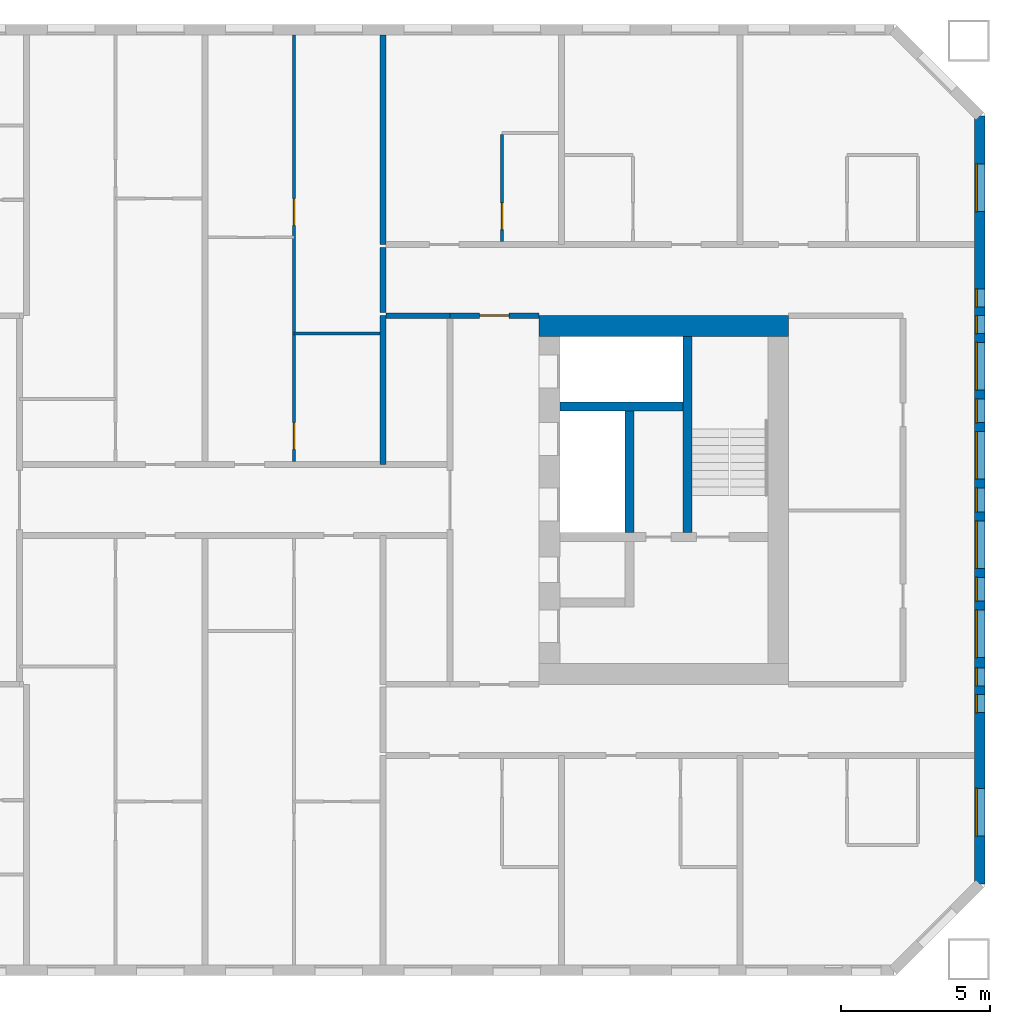
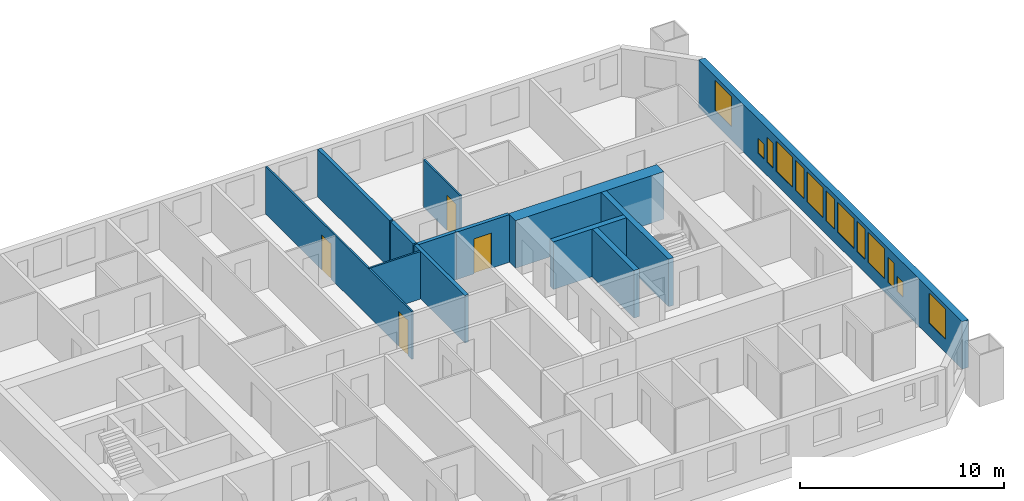
# One storey, part 13 of 17: 13 walls, 13 windows, 4 doors, 17 openings.
"""IFC4 building model written with IfcOpenShell, lengths in metres."""

from ifc_helpers import new_model, si_unit, direction, frame, frame_2d, origin, place, context, subcontext, project, spatial, rectangle, extrude, material, layer, layer_set, type_object, element, fill, save


model = new_model("IFC4")

# Units and contexts
model_context = context("Model", 3, precision=1e-05, world=origin(), true_north=direction((0.0, 1.0)))
body_context = subcontext(model_context, "Body", "Model", "MODEL_VIEW")
ifc_project = project(units=[si_unit("LENGTHUNIT", "METRE"), si_unit("AREAUNIT", "SQUARE_METRE"), si_unit("VOLUMEUNIT", "CUBIC_METRE"), si_unit("PLANEANGLEUNIT", "RADIAN"), si_unit("MASSUNIT", "GRAM", prefix="KILO")], contexts=[model_context])

# Site, building, storey
site_placement = place(None, origin())
site = spatial("IfcSite", under=ifc_project, at=site_placement, CompositionType="ELEMENT")
building_placement = place(site_placement, origin())
building = spatial("IfcBuilding", under=site, at=building_placement, Name="Tuart Gate Housing", CompositionType="ELEMENT")
storey_placement = place(building_placement, frame((0.0, 0.0, 71.60009765625)))
storey = spatial("IfcBuildingStorey", under=building, at=storey_placement, Name="L19", CompositionType="ELEMENT", Elevation=71.60009765625)

# Wall, openings, windows
ifc_material_1 = material(Name="Brick", Category="masonry")
ifc_layer_1 = layer(ifc_material_1, 0.360107421875)
ifc_layer_set_1 = layer_set([ifc_layer_1], Name="Brick pier and spandrel wall 360")
wall_type_1 = type_object("IfcWallType", Name="Brick pier and spandrel wall 360", PredefinedType="STANDARD", material=ifc_layer_set_1)
wall_1_placement = place(storey_placement, frame((175.070068359375, 57.07470703125, 0.0), z_axis=(0.0, 0.0, 1.0), x_axis=(0.0, 1.0, 0.0)))
wall_1 = element("IfcWall", 1, at=wall_1_placement, inside=storey, type_object=wall_type_1, Name="External wall B-E L19", PredefinedType="STANDARD", context=body_context, shape_type="SweptSolid", body=[
    extrude(rectangle(XDim=25.850830078125, YDim=0.360107421875, at=frame_2d((12.92529296875, 0.0))), origin(), (0.0, 0.0, 1.0), 2.849853515625),
])
opening_1_placement = place(wall_1_placement, frame((1.62548828125, 0.0, 0.800048828125)))
opening_1 = element("IfcOpeningElement", 2, at=opening_1_placement, cuts=wall_1, Name="Opening W1", PredefinedType="OPENING", context=body_context, shape_type="SweptSolid", body=[
    extrude(rectangle(XDim=1.60009765625, YDim=1.800048828125, at=frame_2d((0.800048828125, 0.89990234375))), frame((0.0, 0.18994140625, 0.0), z_axis=(0.0, -1.0, 0.0), x_axis=(1.0, 0.0, 0.0)), (0.0, 0.0, 1.0), 0.380126953125),
])
opening_2_placement = place(wall_1_placement, frame((5.775390625, 0.0, 0.800048828125)))
opening_2 = element("IfcOpeningElement", 3, at=opening_2_placement, cuts=wall_1, Name="Opening W1W", PredefinedType="OPENING", context=body_context, shape_type="SweptSolid", body=[
    extrude(rectangle(XDim=0.60009765625, YDim=0.89990234375, at=frame_2d((0.300048828125, 0.449951171875))), frame((0.0, 0.18994140625, 0.0), z_axis=(0.0, -1.0, 0.0), x_axis=(1.0, 0.0, 0.0)), (0.0, 0.0, 1.0), 0.380126953125),
])
opening_3_placement = place(wall_1_placement, frame((7.62548828125, 0.0, 0.800048828125)))
opening_3 = element("IfcOpeningElement", 4, at=opening_3_placement, cuts=wall_1, Name="Opening W1", PredefinedType="OPENING", context=body_context, shape_type="SweptSolid", body=[
    extrude(rectangle(XDim=1.60009765625, YDim=1.800048828125, at=frame_2d((0.800048828125, 0.89990234375))), frame((0.0, 0.18994140625, 0.0), z_axis=(0.0, -1.0, 0.0), x_axis=(1.0, 0.0, 0.0)), (0.0, 0.0, 1.0), 0.380126953125),
])
opening_4_placement = place(wall_1_placement, frame((10.62548828125, 0.0, 0.800048828125)))
opening_4 = element("IfcOpeningElement", 5, at=opening_4_placement, cuts=wall_1, Name="Opening W1", PredefinedType="OPENING", context=body_context, shape_type="SweptSolid", body=[
    extrude(rectangle(XDim=1.60009765625, YDim=1.800048828125, at=frame_2d((0.800048828125, 0.89990234375))), frame((0.0, 0.18994140625, 0.0), z_axis=(0.0, -1.0, 0.0), x_axis=(1.0, 0.0, 0.0)), (0.0, 0.0, 1.0), 0.380126953125),
])
opening_5_placement = place(wall_1_placement, frame((13.62548828125, 0.0, 0.800048828125)))
opening_5 = element("IfcOpeningElement", 6, at=opening_5_placement, cuts=wall_1, Name="Opening W1", PredefinedType="OPENING", context=body_context, shape_type="SweptSolid", body=[
    extrude(rectangle(XDim=1.60009765625, YDim=1.800048828125, at=frame_2d((0.800048828125, 0.89990234375))), frame((0.0, 0.18994140625, 0.0), z_axis=(0.0, -1.0, 0.0), x_axis=(1.0, 0.0, 0.0)), (0.0, 0.0, 1.0), 0.380126953125),
])
opening_6_placement = place(wall_1_placement, frame((16.62548828125, 0.0, 0.800048828125)))
opening_6 = element("IfcOpeningElement", 7, at=opening_6_placement, cuts=wall_1, Name="Opening W1", PredefinedType="OPENING", context=body_context, shape_type="SweptSolid", body=[
    extrude(rectangle(XDim=1.60009765625, YDim=1.800048828125, at=frame_2d((0.800048828125, 0.89990234375))), frame((0.0, 0.18994140625, 0.0), z_axis=(0.0, -1.0, 0.0), x_axis=(1.0, 0.0, 0.0)), (0.0, 0.0, 1.0), 0.380126953125),
])
opening_7_placement = place(wall_1_placement, frame((6.67529296875, 0.0, 0.800048828125)))
opening_7 = element("IfcOpeningElement", 8, at=opening_7_placement, cuts=wall_1, Name="Opening W1K", PredefinedType="OPENING", context=body_context, shape_type="SweptSolid", body=[
    extrude(rectangle(XDim=0.60009765625, YDim=1.5, at=frame_2d((0.300048828125, 0.75))), frame((0.0, 0.18994140625, 0.0), z_axis=(0.0, -1.0, 0.0), x_axis=(1.0, 0.0, 0.0)), (0.0, 0.0, 1.0), 0.380126953125),
])
opening_8_placement = place(wall_1_placement, frame((22.62548828125, 0.0, 0.800048828125)))
opening_8 = element("IfcOpeningElement", 9, at=opening_8_placement, cuts=wall_1, Name="Opening W1", PredefinedType="OPENING", context=body_context, shape_type="SweptSolid", body=[
    extrude(rectangle(XDim=1.60009765625, YDim=1.800048828125, at=frame_2d((0.800048828125, 0.89990234375))), frame((0.0, 0.18994140625, 0.0), z_axis=(0.0, -1.0, 0.0), x_axis=(1.0, 0.0, 0.0)), (0.0, 0.0, 1.0), 0.380126953125),
])
opening_9_placement = place(wall_1_placement, frame((9.525390625, 0.0, 0.800048828125)))
opening_9 = element("IfcOpeningElement", 10, at=opening_9_placement, cuts=wall_1, Name="Opening W1D", PredefinedType="OPENING", context=body_context, shape_type="SweptSolid", body=[
    extrude(rectangle(XDim=0.800048828125, YDim=1.800048828125, at=frame_2d((0.39990234375, 0.89990234375))), frame((0.0, 0.18994140625, 0.0), z_axis=(0.0, -1.0, 0.0), x_axis=(1.0, 0.0, 0.0)), (0.0, 0.0, 1.0), 0.380126953125),
])
opening_10_placement = place(wall_1_placement, frame((12.525390625, 0.0, 0.800048828125)))
opening_10 = element("IfcOpeningElement", 11, at=opening_10_placement, cuts=wall_1, Name="Opening W1D", PredefinedType="OPENING", context=body_context, shape_type="SweptSolid", body=[
    extrude(rectangle(XDim=0.800048828125, YDim=1.800048828125, at=frame_2d((0.39990234375, 0.89990234375))), frame((0.0, 0.18994140625, 0.0), z_axis=(0.0, -1.0, 0.0), x_axis=(1.0, 0.0, 0.0)), (0.0, 0.0, 1.0), 0.380126953125),
])
opening_11_placement = place(wall_1_placement, frame((15.525390625, 0.0, 0.800048828125)))
opening_11 = element("IfcOpeningElement", 12, at=opening_11_placement, cuts=wall_1, Name="Opening W1D", PredefinedType="OPENING", context=body_context, shape_type="SweptSolid", body=[
    extrude(rectangle(XDim=0.800048828125, YDim=1.800048828125, at=frame_2d((0.39990234375, 0.89990234375))), frame((0.0, 0.18994140625, 0.0), z_axis=(0.0, -1.0, 0.0), x_axis=(1.0, 0.0, 0.0)), (0.0, 0.0, 1.0), 0.380126953125),
])
opening_12_placement = place(wall_1_placement, frame((18.525390625, 0.0, 0.800048828125)))
opening_12 = element("IfcOpeningElement", 13, at=opening_12_placement, cuts=wall_1, Name="Opening W1K", PredefinedType="OPENING", context=body_context, shape_type="SweptSolid", body=[
    extrude(rectangle(XDim=0.60009765625, YDim=1.5, at=frame_2d((0.300048828125, 0.75))), frame((0.0, 0.18994140625, 0.0), z_axis=(0.0, -1.0, 0.0), x_axis=(1.0, 0.0, 0.0)), (0.0, 0.0, 1.0), 0.380126953125),
])
opening_13_placement = place(wall_1_placement, frame((19.42529296875, 0.0, 0.800048828125)))
opening_13 = element("IfcOpeningElement", 14, at=opening_13_placement, cuts=wall_1, Name="Opening W1W", PredefinedType="OPENING", context=body_context, shape_type="SweptSolid", body=[
    extrude(rectangle(XDim=0.60009765625, YDim=0.89990234375, at=frame_2d((0.300048828125, 0.449951171875))), frame((0.0, 0.18994140625, 0.0), z_axis=(0.0, -1.0, 0.0), x_axis=(1.0, 0.0, 0.0)), (0.0, 0.0, 1.0), 0.380126953125),
])
ifc_material_2 = material(Name="Aluminium frame with clear glass", Category="aluminium")
window_type_1 = type_object("IfcWindowType", Name="Punched window 1600 x 1800", PartitioningType="SINGLE_PANEL", PredefinedType="WINDOW", material=ifc_material_2)
window_1_placement = place(opening_1_placement, origin())
window_1 = element("IfcWindow", 15, at=window_1_placement, inside=storey, type_object=window_type_1, Name="Window W1", OverallHeight=1.800048828125, OverallWidth=1.60009765625, PartitioningType="SINGLE_PANEL", PredefinedType="WINDOW", context=body_context, shape_type="SweptSolid", body=[
    extrude(rectangle(XDim=1.60009765625, YDim=1.800048828125, at=frame_2d((0.800048828125, 0.89990234375))), frame((0.0, 0.150146484375, 0.0), z_axis=(0.0, -1.0, 0.0), x_axis=(1.0, 0.0, 0.0)), (0.0, 0.0, 1.0), 0.06005859375),
])
fill(opening_1, window_1)
window_2_placement = place(opening_3_placement, origin())
window_2 = element("IfcWindow", 16, at=window_2_placement, inside=storey, type_object=window_type_1, Name="Window W1", OverallHeight=1.800048828125, OverallWidth=1.60009765625, PartitioningType="SINGLE_PANEL", PredefinedType="WINDOW", context=body_context, shape_type="SweptSolid", body=[
    extrude(rectangle(XDim=1.60009765625, YDim=1.800048828125, at=frame_2d((0.800048828125, 0.89990234375))), frame((0.0, 0.150146484375, 0.0), z_axis=(0.0, -1.0, 0.0), x_axis=(1.0, 0.0, 0.0)), (0.0, 0.0, 1.0), 0.06005859375),
])
fill(opening_3, window_2)
window_3_placement = place(opening_4_placement, origin())
window_3 = element("IfcWindow", 17, at=window_3_placement, inside=storey, type_object=window_type_1, Name="Window W1", OverallHeight=1.800048828125, OverallWidth=1.60009765625, PartitioningType="SINGLE_PANEL", PredefinedType="WINDOW", context=body_context, shape_type="SweptSolid", body=[
    extrude(rectangle(XDim=1.60009765625, YDim=1.800048828125, at=frame_2d((0.800048828125, 0.89990234375))), frame((0.0, 0.150146484375, 0.0), z_axis=(0.0, -1.0, 0.0), x_axis=(1.0, 0.0, 0.0)), (0.0, 0.0, 1.0), 0.06005859375),
])
fill(opening_4, window_3)
window_4_placement = place(opening_5_placement, origin())
window_4 = element("IfcWindow", 18, at=window_4_placement, inside=storey, type_object=window_type_1, Name="Window W1", OverallHeight=1.800048828125, OverallWidth=1.60009765625, PartitioningType="SINGLE_PANEL", PredefinedType="WINDOW", context=body_context, shape_type="SweptSolid", body=[
    extrude(rectangle(XDim=1.60009765625, YDim=1.800048828125, at=frame_2d((0.800048828125, 0.89990234375))), frame((0.0, 0.150146484375, 0.0), z_axis=(0.0, -1.0, 0.0), x_axis=(1.0, 0.0, 0.0)), (0.0, 0.0, 1.0), 0.06005859375),
])
fill(opening_5, window_4)
window_5_placement = place(opening_6_placement, origin())
window_5 = element("IfcWindow", 19, at=window_5_placement, inside=storey, type_object=window_type_1, Name="Window W1", OverallHeight=1.800048828125, OverallWidth=1.60009765625, PartitioningType="SINGLE_PANEL", PredefinedType="WINDOW", context=body_context, shape_type="SweptSolid", body=[
    extrude(rectangle(XDim=1.60009765625, YDim=1.800048828125, at=frame_2d((0.800048828125, 0.89990234375))), frame((0.0, 0.150146484375, 0.0), z_axis=(0.0, -1.0, 0.0), x_axis=(1.0, 0.0, 0.0)), (0.0, 0.0, 1.0), 0.06005859375),
])
fill(opening_6, window_5)
window_6_placement = place(opening_8_placement, origin())
window_6 = element("IfcWindow", 20, at=window_6_placement, inside=storey, type_object=window_type_1, Name="Window W1", OverallHeight=1.800048828125, OverallWidth=1.60009765625, PartitioningType="SINGLE_PANEL", PredefinedType="WINDOW", context=body_context, shape_type="SweptSolid", body=[
    extrude(rectangle(XDim=1.60009765625, YDim=1.800048828125, at=frame_2d((0.800048828125, 0.89990234375))), frame((0.0, 0.150146484375, 0.0), z_axis=(0.0, -1.0, 0.0), x_axis=(1.0, 0.0, 0.0)), (0.0, 0.0, 1.0), 0.06005859375),
])
fill(opening_8, window_6)
ifc_material_3 = material(Name="Aluminium frame with clear glass", Category="aluminium")
window_type_2 = type_object("IfcWindowType", Name="Punched window 600 x 1500", PartitioningType="SINGLE_PANEL", PredefinedType="WINDOW", material=ifc_material_3)
window_7_placement = place(opening_7_placement, origin())
window_7 = element("IfcWindow", 21, at=window_7_placement, inside=storey, type_object=window_type_2, Name="Window W1K", OverallHeight=1.5, OverallWidth=0.60009765625, PartitioningType="SINGLE_PANEL", PredefinedType="WINDOW", context=body_context, shape_type="SweptSolid", body=[
    extrude(rectangle(XDim=0.60009765625, YDim=1.5, at=frame_2d((0.300048828125, 0.75))), frame((0.0, 0.150146484375, 0.0), z_axis=(0.0, -1.0, 0.0), x_axis=(1.0, 0.0, 0.0)), (0.0, 0.0, 1.0), 0.06005859375),
])
fill(opening_7, window_7)
window_8_placement = place(opening_12_placement, origin())
window_8 = element("IfcWindow", 22, at=window_8_placement, inside=storey, type_object=window_type_2, Name="Window W1K", OverallHeight=1.5, OverallWidth=0.60009765625, PartitioningType="SINGLE_PANEL", PredefinedType="WINDOW", context=body_context, shape_type="SweptSolid", body=[
    extrude(rectangle(XDim=0.60009765625, YDim=1.5, at=frame_2d((0.300048828125, 0.75))), frame((0.0, 0.150146484375, 0.0), z_axis=(0.0, -1.0, 0.0), x_axis=(1.0, 0.0, 0.0)), (0.0, 0.0, 1.0), 0.06005859375),
])
fill(opening_12, window_8)
ifc_material_4 = material(Name="Aluminium frame with clear glass", Category="aluminium")
window_type_3 = type_object("IfcWindowType", Name="Punched window 600 x 900", PartitioningType="SINGLE_PANEL", PredefinedType="WINDOW", material=ifc_material_4)
window_9_placement = place(opening_2_placement, origin())
window_9 = element("IfcWindow", 23, at=window_9_placement, inside=storey, type_object=window_type_3, Name="Window W1W", OverallHeight=0.89990234375, OverallWidth=0.60009765625, PartitioningType="SINGLE_PANEL", PredefinedType="WINDOW", context=body_context, shape_type="SweptSolid", body=[
    extrude(rectangle(XDim=0.60009765625, YDim=0.89990234375, at=frame_2d((0.300048828125, 0.449951171875))), frame((0.0, 0.150146484375, 0.0), z_axis=(0.0, -1.0, 0.0), x_axis=(1.0, 0.0, 0.0)), (0.0, 0.0, 1.0), 0.06005859375),
])
fill(opening_2, window_9)
window_10_placement = place(opening_13_placement, origin())
window_10 = element("IfcWindow", 24, at=window_10_placement, inside=storey, type_object=window_type_3, Name="Window W1W", OverallHeight=0.89990234375, OverallWidth=0.60009765625, PartitioningType="SINGLE_PANEL", PredefinedType="WINDOW", context=body_context, shape_type="SweptSolid", body=[
    extrude(rectangle(XDim=0.60009765625, YDim=0.89990234375, at=frame_2d((0.300048828125, 0.449951171875))), frame((0.0, 0.150146484375, 0.0), z_axis=(0.0, -1.0, 0.0), x_axis=(1.0, 0.0, 0.0)), (0.0, 0.0, 1.0), 0.06005859375),
])
fill(opening_13, window_10)
ifc_material_5 = material(Name="Aluminium frame with clear glass", Category="aluminium")
window_type_4 = type_object("IfcWindowType", Name="Punched window 800 x 1800", PartitioningType="SINGLE_PANEL", PredefinedType="WINDOW", material=ifc_material_5)
window_11_placement = place(opening_9_placement, origin())
window_11 = element("IfcWindow", 25, at=window_11_placement, inside=storey, type_object=window_type_4, Name="Window W1D", OverallHeight=1.800048828125, OverallWidth=0.800048828125, PartitioningType="SINGLE_PANEL", PredefinedType="WINDOW", context=body_context, shape_type="SweptSolid", body=[
    extrude(rectangle(XDim=0.800048828125, YDim=1.800048828125, at=frame_2d((0.39990234375, 0.89990234375))), frame((0.0, 0.150146484375, 0.0), z_axis=(0.0, -1.0, 0.0), x_axis=(1.0, 0.0, 0.0)), (0.0, 0.0, 1.0), 0.06005859375),
])
fill(opening_9, window_11)
window_12_placement = place(opening_10_placement, origin())
window_12 = element("IfcWindow", 26, at=window_12_placement, inside=storey, type_object=window_type_4, Name="Window W1D", OverallHeight=1.800048828125, OverallWidth=0.800048828125, PartitioningType="SINGLE_PANEL", PredefinedType="WINDOW", context=body_context, shape_type="SweptSolid", body=[
    extrude(rectangle(XDim=0.800048828125, YDim=1.800048828125, at=frame_2d((0.39990234375, 0.89990234375))), frame((0.0, 0.150146484375, 0.0), z_axis=(0.0, -1.0, 0.0), x_axis=(1.0, 0.0, 0.0)), (0.0, 0.0, 1.0), 0.06005859375),
])
fill(opening_10, window_12)
window_13_placement = place(opening_11_placement, origin())
window_13 = element("IfcWindow", 27, at=window_13_placement, inside=storey, type_object=window_type_4, Name="Window W1D", OverallHeight=1.800048828125, OverallWidth=0.800048828125, PartitioningType="SINGLE_PANEL", PredefinedType="WINDOW", context=body_context, shape_type="SweptSolid", body=[
    extrude(rectangle(XDim=0.800048828125, YDim=1.800048828125, at=frame_2d((0.39990234375, 0.89990234375))), frame((0.0, 0.150146484375, 0.0), z_axis=(0.0, -1.0, 0.0), x_axis=(1.0, 0.0, 0.0)), (0.0, 0.0, 1.0), 0.06005859375),
])
fill(opening_11, window_13)

# Walls
ifc_material_6 = material(Name="Concrete C50", Category="concrete")
ifc_layer_2 = layer(ifc_material_6, 0.300048828125)
ifc_layer_set_2 = layer_set([ifc_layer_2], Name="Core wall 300 C50")
wall_type_2 = type_object("IfcWallType", Name="Core wall 300 C50", PredefinedType="SHEAR", material=ifc_layer_set_2)
wall_2_placement = place(storey_placement, frame((160.93994140625, 73.14990234375, 0.0), z_axis=(0.0, 0.0, 1.0), x_axis=(1.0, 0.0, 0.0)))
element("IfcWall", 28, at=wall_2_placement, inside=storey, type_object=wall_type_2, Name="Core wall BK.1", PredefinedType="SHEAR", context=body_context, shape_type="SweptSolid", body=[
    extrude(rectangle(XDim=4.150146484375, YDim=0.300048828125, at=frame_2d((2.0751953125, 0.0))), origin(), (0.0, 0.0, 1.0), 2.849853515625),
])
wall_3_placement = place(storey_placement, frame((163.2900390625, 73.0, 0.0), z_axis=(0.0, 0.0, 1.0), x_axis=(0.0, -1.0, 0.0)))
element("IfcWall", 29, at=wall_3_placement, inside=storey, type_object=wall_type_2, Name="Core wall BK.4", PredefinedType="SHEAR", context=body_context, shape_type="SweptSolid", body=[
    extrude(rectangle(XDim=4.10009765625, YDim=0.300048828125, at=frame_2d((2.050048828125, 0.0))), origin(), (0.0, 0.0, 1.0), 2.849853515625),
])
wall_4_placement = place(storey_placement, frame((165.239990234375, 75.5, 0.0), z_axis=(0.0, 0.0, 1.0), x_axis=(0.0, -1.0, 0.0)))
element("IfcWall", 30, at=wall_4_placement, inside=storey, type_object=wall_type_2, Name="Core wall BK.6", PredefinedType="SHEAR", context=body_context, shape_type="SweptSolid", body=[
    extrude(rectangle(XDim=6.60009765625, YDim=0.300048828125, at=frame_2d((3.300048828125, 0.0))), origin(), (0.0, 0.0, 1.0), 2.849853515625),
])
ifc_material_7 = material(Name="Concrete C50", Category="concrete")
ifc_layer_3 = layer(ifc_material_7, 0.699951171875)
ifc_layer_set_3 = layer_set([ifc_layer_3], Name="Core wall 700 C50")
wall_type_3 = type_object("IfcWallType", Name="Core wall 700 C50", PredefinedType="SHEAR", material=ifc_layer_set_3)
wall_5_placement = place(storey_placement, frame((160.239990234375, 75.85009765625, 0.0), z_axis=(0.0, 0.0, 1.0), x_axis=(1.0, 0.0, 0.0)))
element("IfcWall", 31, at=wall_5_placement, inside=storey, type_object=wall_type_3, Name="Core wall BK south", PredefinedType="SHEAR", context=body_context, shape_type="SweptSolid", body=[
    extrude(rectangle(XDim=8.39990234375, YDim=0.699951171875, at=frame_2d((4.199951171875, 0.0))), origin(), (0.0, 0.0, 1.0), 2.849853515625),
])
ifc_material_8 = material(Name="Concrete masonry 15 MPa", Category="masonry")
ifc_layer_4 = layer(ifc_material_8, 0.199951171875)
ifc_layer_set_4 = layer_set([ifc_layer_4], Name="Corridor wall masonry 200")
wall_type_4 = type_object("IfcWallType", Name="Corridor wall masonry 200", PredefinedType="PARTITIONING", material=ifc_layer_set_4)
wall_6_placement = place(storey_placement, frame((155.10009765625, 76.199951171875, 0.0), z_axis=(0.0, 0.0, 1.0), x_axis=(1.0, 0.0, 0.0)))
element("IfcWall", 32, at=wall_6_placement, inside=storey, type_object=wall_type_4, Name="Corridor wall masonry 200", PredefinedType="PARTITIONING", context=body_context, shape_type="SweptSolid", body=[
    extrude(rectangle(XDim=2.139892578125, YDim=0.199951171875, at=frame_2d((1.06982421875, 0.0))), origin(), (0.0, 0.0, 1.0), 2.849853515625),
])
wall_7_placement = place(storey_placement, frame((155.0, 76.300048828125, 0.0), z_axis=(0.0, 0.0, 1.0), x_axis=(0.0, 1.0, 0.0)))
element("IfcWall", 33, at=wall_7_placement, inside=storey, type_object=wall_type_4, Name="Corridor wall masonry 200", PredefinedType="PARTITIONING", context=body_context, shape_type="SweptSolid", body=[
    extrude(rectangle(XDim=2.199951171875, YDim=0.199951171875, at=frame_2d((1.10009765625, 0.0))), origin(), (0.0, 0.0, 1.0), 2.849853515625),
])

# Wall, opening, door
ifc_material_9 = material(Name="Concrete masonry 15 MPa", Category="masonry")
ifc_layer_5 = layer(ifc_material_9, 0.199951171875)
ifc_layer_set_5 = layer_set([ifc_layer_5], Name="Enclosure wall masonry 200")
wall_type_5 = type_object("IfcWallType", Name="Enclosure wall masonry 200", PredefinedType="PARTITIONING", material=ifc_layer_set_5)
wall_8_placement = place(storey_placement, frame((157.239990234375, 76.199951171875, 0.0), z_axis=(0.0, 0.0, 1.0), x_axis=(1.0, 0.0, 0.0)))
wall_8 = element("IfcWall", 34, at=wall_8_placement, inside=storey, type_object=wall_type_5, Name="Enclosure wall masonry 200", PredefinedType="PARTITIONING", context=body_context, shape_type="SweptSolid", body=[
    extrude(rectangle(XDim=3.0, YDim=0.199951171875, at=frame_2d((1.5, 0.0))), origin(), (0.0, 0.0, 1.0), 2.849853515625),
])
opening_14_placement = place(wall_8_placement, frame((1.0, 0.0, 0.0)))
opening_14 = element("IfcOpeningElement", 35, at=opening_14_placement, cuts=wall_8, Name="Opening D914", PredefinedType="OPENING", context=body_context, shape_type="SweptSolid", body=[
    extrude(rectangle(XDim=1.0, YDim=2.10009765625, at=frame_2d((0.5, 1.050048828125))), frame((0.0, 0.10986328125, 0.0), z_axis=(0.0, -1.0, 0.0), x_axis=(1.0, 0.0, 0.0)), (0.0, 0.0, 1.0), 0.219970703125),
])
ifc_material_10 = material(Name="Timber door leaf in steel frame", Category="steel")
door_type_1 = type_object("IfcDoorType", Name="Fire door 1000", OperationType="SINGLE_SWING_LEFT", PredefinedType="DOOR", material=ifc_material_10)
door_1_placement = place(opening_14_placement, origin())
door_1 = element("IfcDoor", 36, at=door_1_placement, inside=storey, type_object=door_type_1, Name="Fire door", OperationType="SINGLE_SWING_LEFT", OverallHeight=2.10009765625, OverallWidth=1.0, PredefinedType="DOOR", context=body_context, shape_type="SweptSolid", body=[
    extrude(rectangle(XDim=1.0, YDim=2.10009765625, at=frame_2d((0.5, 1.050048828125))), frame((0.0, 0.02490234375, 0.0), z_axis=(0.0, -1.0, 0.0), x_axis=(1.0, 0.0, 0.0)), (0.0, 0.0, 1.0), 0.050048828125),
])
fill(opening_14, door_1)

# Wall
ifc_material_11 = material(Name="Gypsum board on steel studs", Category="steel")
ifc_layer_6 = layer(ifc_material_11, 0.10009765625)
ifc_layer_set_6 = layer_set([ifc_layer_6], Name="Partition 100")
wall_type_6 = type_object("IfcWallType", Name="Partition 100", PredefinedType="PARTITIONING", material=ifc_layer_set_6)
wall_9_placement = place(storey_placement, frame((152.0, 75.60009765625, 0.0), z_axis=(0.0, 0.0, 1.0), x_axis=(1.0, 0.0, 0.0)))
element("IfcWall", 37, at=wall_9_placement, inside=storey, type_object=wall_type_6, Name="Partition 100", PredefinedType="PARTITIONING", context=body_context, shape_type="SweptSolid", body=[
    extrude(rectangle(XDim=2.89990234375, YDim=0.10009765625, at=frame_2d((1.449951171875, 0.0))), origin(), (0.0, 0.0, 1.0), 2.849853515625),
])

# Wall, openings, doors
wall_10_placement = place(storey_placement, frame((152.0, 71.300048828125, 0.0), z_axis=(0.0, 0.0, 1.0), x_axis=(0.0, 1.0, 0.0)))
wall_10 = element("IfcWall", 38, at=wall_10_placement, inside=storey, type_object=wall_type_6, Name="Partition 100", PredefinedType="PARTITIONING", context=body_context, shape_type="SweptSolid", body=[
    extrude(rectangle(XDim=14.33984375, YDim=0.10009765625, at=frame_2d((7.169921875, 0.0))), origin(), (0.0, 0.0, 1.0), 2.849853515625),
])
opening_15_placement = place(wall_10_placement, frame((7.93994140625, 0.0, 0.0)))
opening_15 = element("IfcOpeningElement", 39, at=opening_15_placement, cuts=wall_10, Name="Opening D912", PredefinedType="OPENING", context=body_context, shape_type="SweptSolid", body=[
    extrude(rectangle(XDim=0.89990234375, YDim=2.10009765625, at=frame_2d((0.449951171875, 1.050048828125))), frame((0.0, 0.06005859375, 0.0), z_axis=(0.0, -1.0, 0.0), x_axis=(1.0, 0.0, 0.0)), (0.0, 0.0, 1.0), 0.1201171875),
])
opening_16_placement = place(wall_10_placement, frame((0.39990234375, 0.0, 0.0)))
opening_16 = element("IfcOpeningElement", 40, at=opening_16_placement, cuts=wall_10, Name="Opening D911", PredefinedType="OPENING", context=body_context, shape_type="SweptSolid", body=[
    extrude(rectangle(XDim=0.89990234375, YDim=2.10009765625, at=frame_2d((0.449951171875, 1.050048828125))), frame((0.0, 0.06005859375, 0.0), z_axis=(0.0, -1.0, 0.0), x_axis=(1.0, 0.0, 0.0)), (0.0, 0.0, 1.0), 0.1201171875),
])
ifc_material_12 = material(Name="Timber door leaf in steel frame", Category="steel")
door_type_2 = type_object("IfcDoorType", Name="Bathroom door 900 RH", OperationType="SINGLE_SWING_RIGHT", PredefinedType="DOOR", material=ifc_material_12)
door_2_placement = place(opening_16_placement, frame((0.89990234375, 0.0, 0.0), z_axis=(0.0, 0.0, 1.0), x_axis=(-1.0, 0.0, 0.0)))
door_2 = element("IfcDoor", 41, at=door_2_placement, inside=storey, type_object=door_type_2, Name="Bathroom door", OperationType="SINGLE_SWING_RIGHT", OverallHeight=2.10009765625, OverallWidth=0.89990234375, PredefinedType="DOOR", context=body_context, shape_type="SweptSolid", body=[
    extrude(rectangle(XDim=0.89990234375, YDim=2.10009765625, at=frame_2d((0.449951171875, 1.050048828125))), frame((0.0, 0.025146484375, 0.0), z_axis=(0.0, -1.0, 0.0), x_axis=(1.0, 0.0, 0.0)), (0.0, 0.0, 1.0), 0.050048828125),
])
fill(opening_16, door_2)
ifc_material_13 = material(Name="Timber door leaf in steel frame", Category="steel")
door_type_3 = type_object("IfcDoorType", Name="Internal door 900 RH", OperationType="SINGLE_SWING_RIGHT", PredefinedType="DOOR", material=ifc_material_13)
door_3_placement = place(opening_15_placement, frame((0.89990234375, 0.0, 0.0), z_axis=(0.0, 0.0, 1.0), x_axis=(-1.0, 0.0, 0.0)))
door_3 = element("IfcDoor", 42, at=door_3_placement, inside=storey, type_object=door_type_3, Name="Internal door", OperationType="SINGLE_SWING_RIGHT", OverallHeight=2.10009765625, OverallWidth=0.89990234375, PredefinedType="DOOR", context=body_context, shape_type="SweptSolid", body=[
    extrude(rectangle(XDim=0.89990234375, YDim=2.10009765625, at=frame_2d((0.449951171875, 1.050048828125))), frame((0.0, 0.025146484375, 0.0), z_axis=(0.0, -1.0, 0.0), x_axis=(1.0, 0.0, 0.0)), (0.0, 0.0, 1.0), 0.050048828125),
])
fill(opening_15, door_3)

# Wall, opening, door
wall_11_placement = place(storey_placement, frame((159.0, 78.699951171875, 0.0), z_axis=(0.0, 0.0, 1.0), x_axis=(0.0, 1.0, 0.0)))
wall_11 = element("IfcWall", 43, at=wall_11_placement, inside=storey, type_object=wall_type_6, Name="Partition 100", PredefinedType="PARTITIONING", context=body_context, shape_type="SweptSolid", body=[
    extrude(rectangle(XDim=3.60009765625, YDim=0.10009765625, at=frame_2d((1.800048828125, 0.0))), origin(), (0.0, 0.0, 1.0), 2.849853515625),
])
opening_17_placement = place(wall_11_placement, frame((0.39990234375, 0.0, 0.0)))
opening_17 = element("IfcOpeningElement", 44, at=opening_17_placement, cuts=wall_11, Name="Opening D899", PredefinedType="OPENING", context=body_context, shape_type="SweptSolid", body=[
    extrude(rectangle(XDim=0.89990234375, YDim=2.10009765625, at=frame_2d((0.449951171875, 1.050048828125))), frame((0.0, 0.06005859375, 0.0), z_axis=(0.0, -1.0, 0.0), x_axis=(1.0, 0.0, 0.0)), (0.0, 0.0, 1.0), 0.1201171875),
])
door_4_placement = place(opening_17_placement, frame((0.89990234375, 0.0, 0.0), z_axis=(0.0, 0.0, 1.0), x_axis=(-1.0, 0.0, 0.0)))
door_4 = element("IfcDoor", 45, at=door_4_placement, inside=storey, type_object=door_type_2, Name="Bathroom door", OperationType="SINGLE_SWING_RIGHT", OverallHeight=2.10009765625, OverallWidth=0.89990234375, PredefinedType="DOOR", context=body_context, shape_type="SweptSolid", body=[
    extrude(rectangle(XDim=0.89990234375, YDim=2.10009765625, at=frame_2d((0.449951171875, 1.050048828125))), frame((0.0, 0.025146484375, 0.0), z_axis=(0.0, -1.0, 0.0), x_axis=(1.0, 0.0, 0.0)), (0.0, 0.0, 1.0), 0.050048828125),
])
fill(opening_17, door_4)

# Walls
ifc_material_14 = material(Name="Concrete C40", Category="concrete")
ifc_layer_7 = layer(ifc_material_14, 0.199951171875)
ifc_layer_set_7 = layer_set([ifc_layer_7], Name="Party wall concrete C40 200")
wall_type_7 = type_object("IfcWallType", Name="Party wall concrete C40 200", PredefinedType="SOLIDWALL", material=ifc_layer_set_7)
wall_12_placement = place(storey_placement, frame((155.0, 71.199951171875, 0.0), z_axis=(0.0, 0.0, 1.0), x_axis=(0.0, 1.0, 0.0)))
element("IfcWall", 46, at=wall_12_placement, inside=storey, type_object=wall_type_7, Name="Party wall concrete C40 200", PredefinedType="SOLIDWALL", context=body_context, shape_type="SweptSolid", body=[
    extrude(rectangle(XDim=5.0, YDim=0.199951171875, at=frame_2d((2.5, 0.0))), origin(), (0.0, 0.0, 1.0), 2.849853515625),
])
wall_13_placement = place(storey_placement, frame((155.0, 78.60009765625, 0.0), z_axis=(0.0, 0.0, 1.0), x_axis=(0.0, 1.0, 0.0)))
element("IfcWall", 47, at=wall_13_placement, inside=storey, type_object=wall_type_7, Name="Party wall concrete C40 200", PredefinedType="SOLIDWALL", context=body_context, shape_type="SweptSolid", body=[
    extrude(rectangle(XDim=7.039794921875, YDim=0.199951171875, at=frame_2d((3.52001953125, 0.0))), origin(), (0.0, 0.0, 1.0), 2.849853515625),
])

save(model, "model.ifc")
